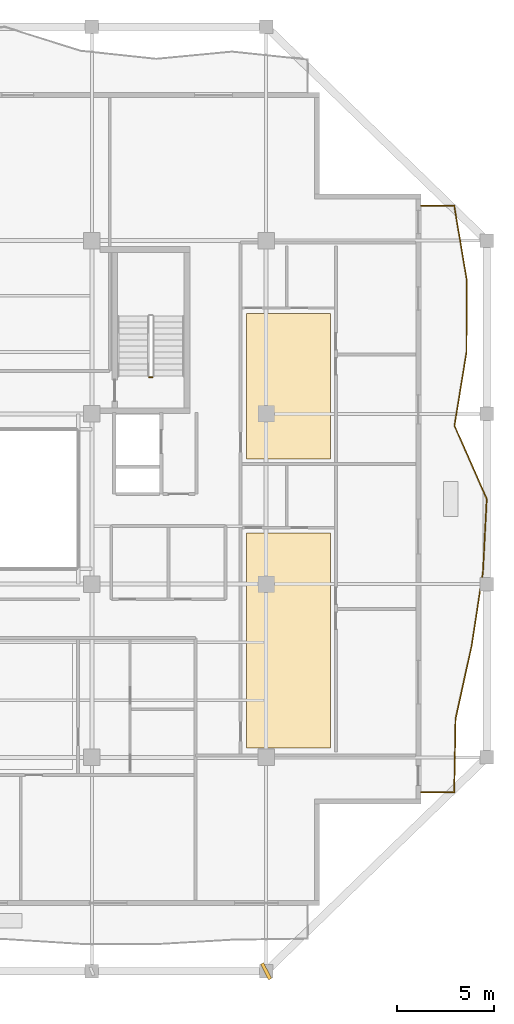
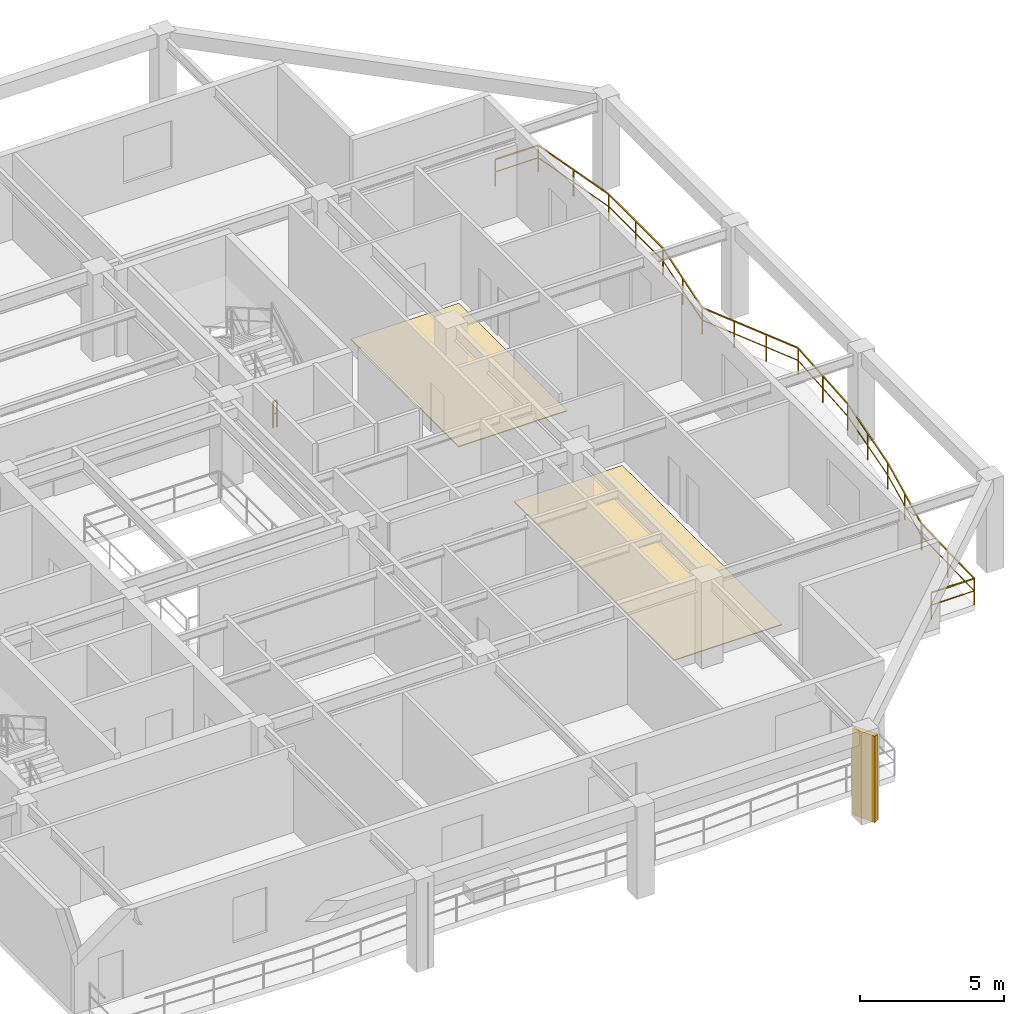
# One storey, part 10 of 12: 2 coverings, 2 railings, 1 shading device.
"""IFC4 building model written with IfcOpenShell, lengths in metres."""

from ifc_helpers import new_model, si_unit, direction, frame, origin, origin_2d, place, context, subcontext, project, spatial, polyline, rectangle, outline, extrude, material, layer, layer_set, type_object, element, save


model = new_model("IFC4")

# Units and contexts
model_context = context("Model", 3, precision=1e-05, world=origin(), true_north=direction((0.0, 1.0)))
body_context = subcontext(model_context, "Body", "Model", "MODEL_VIEW")
ifc_project = project(units=[si_unit("LENGTHUNIT", "METRE"), si_unit("AREAUNIT", "SQUARE_METRE"), si_unit("VOLUMEUNIT", "CUBIC_METRE"), si_unit("PLANEANGLEUNIT", "RADIAN"), si_unit("MASSUNIT", "GRAM", prefix="KILO")], contexts=[model_context])

# Site, building, storey
site_placement = place(None, origin())
site = spatial("IfcSite", under=ifc_project, at=site_placement, CompositionType="ELEMENT")
building_placement = place(site_placement, origin())
building = spatial("IfcBuilding", under=site, at=building_placement, Name="Kundavana Baori Tower", CompositionType="ELEMENT")
storey_placement = place(building_placement, frame((0.0, 0.0, 241.39990234375)))
storey = spatial("IfcBuildingStorey", under=building, at=storey_placement, Name="L59", CompositionType="ELEMENT", Elevation=241.39990234375)

# Coverings
ifc_material_1 = material(Name="Honed Kota Stone and Terrazzo Flooring", Category="masonry")
ifc_layer = layer(ifc_material_1, 0.0400390625, Name="COV-FLR-TERR-40")
ifc_layer_set = layer_set([ifc_layer], Name="Honed Kota Stone and Terrazzo Flooring")
covering_type = type_object("IfcCoveringType", Name="COV-FLR-TERR-40", PredefinedType="FLOORING", material=ifc_layer_set)
covering_1_placement = place(storey_placement, origin())
element("IfcCovering", 1, at=covering_1_placement, inside=storey, type_object=covering_type, Name="L59 Room Finished Stone Flooring 4", PredefinedType="FLOORING", context=body_context, shape_type="SweptSolid", body=[
    extrude(outline(polyline([(41.780029296875, 15.72998046875), (46.1298828125, 15.72998046875), (46.1298828125, 26.840087890625), (41.780029296875, 26.840087890625), (41.780029296875, 15.72998046875)])), origin(), (0.0, 0.0, 1.0), 0.0400390625),
])
covering_2_placement = place(storey_placement, origin())
element("IfcCovering", 2, at=covering_2_placement, inside=storey, type_object=covering_type, Name="L59 Room Finished Stone Flooring 5", PredefinedType="FLOORING", context=body_context, shape_type="SweptSolid", body=[
    extrude(outline(polyline([(41.780029296875, 30.679931640625), (46.1298828125, 30.679931640625), (46.1298828125, 38.18994140625), (41.780029296875, 38.18994140625), (41.780029296875, 30.679931640625)])), origin(), (0.0, 0.0, 1.0), 0.0400390625),
])

# Railings
ifc_material_2 = material(Name="Architectural Patinated Bronze Metalwork")
railing_type_1 = type_object("IfcRailingType", Name="RL-BAL-1150", PredefinedType="BALUSTRADE", material=ifc_material_2)
railing_1_placement = place(storey_placement, frame((50.800048828125, 43.75, 0.0)))
element("IfcRailing", 3, at=railing_1_placement, inside=storey, type_object=railing_type_1, Name="L59 Loggia Balcony Balustrade E", PredefinedType="BALUSTRADE", context=body_context, shape_type="SweptSolid", body=[
    extrude(rectangle(XDim=0.048095703125, YDim=0.048095703125, at=origin_2d()), frame((0.0, 0.0, 1.1259765625), z_axis=(1.0, 0.0, 0.0), x_axis=(0.0, 1.0, 0.0)), (0.0, 0.0, 1.0), 1.719970703125),
    extrude(rectangle(XDim=0.03125, YDim=0.03125, at=origin_2d()), frame((0.0, 0.0, 0.597900390625), z_axis=(1.0, 0.0, 0.0), x_axis=(0.0, 1.0, 0.0)), (0.0, 0.0, 1.0), 1.719970703125),
    extrude(rectangle(XDim=0.048095703125, YDim=0.048095703125, at=origin_2d()), frame((1.719970703125, 0.0, 1.1259765625), z_axis=(0.167118699382, -0.985936783124, 0.0), x_axis=(0.985936783124, 0.167118699382, 0.0)), (0.0, 0.0, 1.0), 3.842041015625),
    extrude(rectangle(XDim=0.03125, YDim=0.03125, at=origin_2d()), frame((1.719970703125, 0.0, 0.597900390625), z_axis=(0.167118699382, -0.985936783124, 0.0), x_axis=(0.985936783124, 0.167118699382, 0.0)), (0.0, 0.0, 1.0), 3.842041015625),
    extrude(rectangle(XDim=0.048095703125, YDim=0.048095703125, at=origin_2d()), frame((2.362060546875, -3.7880859375, 1.1259765625), z_axis=(-0.002127517589, -0.999997736832, 0.0), x_axis=(0.999997736832, -0.002127517589, 0.0)), (0.0, 0.0, 1.0), 3.786865234375),
    extrude(rectangle(XDim=0.03125, YDim=0.03125, at=origin_2d()), frame((2.362060546875, -3.7880859375, 0.597900390625), z_axis=(-0.002127517589, -0.999997736832, 0.0), x_axis=(0.999997736832, -0.002127517589, 0.0)), (0.0, 0.0, 1.0), 3.786865234375),
    extrude(rectangle(XDim=0.048095703125, YDim=0.048095703125, at=origin_2d()), frame((2.35400390625, -7.574951171875, 1.1259765625), z_axis=(-0.161840024956, -0.986817007516, 0.0), x_axis=(0.986817007516, -0.161840024956, 0.0)), (0.0, 0.0, 1.0), 3.837646484375),
    extrude(rectangle(XDim=0.03125, YDim=0.03125, at=origin_2d()), frame((2.35400390625, -7.574951171875, 0.597900390625), z_axis=(-0.161840024956, -0.986817007516, 0.0), x_axis=(0.986817007516, -0.161840024956, 0.0)), (0.0, 0.0, 1.0), 3.837646484375),
    extrude(rectangle(XDim=0.048095703125, YDim=0.048095703125, at=origin_2d()), frame((1.73291015625, -11.362060546875, 1.1259765625), z_axis=(0.402807807937, -0.915284584086, 0.0), x_axis=(0.915284584086, 0.402807807937, 0.0)), (0.0, 0.0, 1.0), 4.138427734375),
    extrude(rectangle(XDim=0.03125, YDim=0.03125, at=origin_2d()), frame((1.73291015625, -11.362060546875, 0.597900390625), z_axis=(0.402807807937, -0.915284584086, 0.0), x_axis=(0.915284584086, 0.402807807937, 0.0)), (0.0, 0.0, 1.0), 4.138427734375),
    extrude(rectangle(XDim=0.048095703125, YDim=0.048095703125, at=origin_2d()), frame((3.39990234375, -15.14990234375, 1.1259765625), z_axis=(-0.051940622011, -0.998650174879, 0.0), x_axis=(0.998650174879, -0.051940622011, 0.0)), (0.0, 0.0, 1.0), 3.793212890625),
    extrude(rectangle(XDim=0.03125, YDim=0.03125, at=origin_2d()), frame((3.39990234375, -15.14990234375, 0.597900390625), z_axis=(-0.051940622011, -0.998650174879, 0.0), x_axis=(0.998650174879, -0.051940622011, 0.0)), (0.0, 0.0, 1.0), 3.793212890625),
    extrude(rectangle(XDim=0.048095703125, YDim=0.048095703125, at=origin_2d()), frame((3.202880859375, -18.93798828125, 1.1259765625), z_axis=(-0.151592702631, -0.988443044646, 0.0), x_axis=(0.988443044646, -0.151592702631, 0.0)), (0.0, 0.0, 1.0), 3.831298828125),
    extrude(rectangle(XDim=0.03125, YDim=0.03125, at=origin_2d()), frame((3.202880859375, -18.93798828125, 0.597900390625), z_axis=(-0.151592702631, -0.988443044646, 0.0), x_axis=(0.988443044646, -0.151592702631, 0.0)), (0.0, 0.0, 1.0), 3.831298828125),
    extrude(rectangle(XDim=0.048095703125, YDim=0.048095703125, at=origin_2d()), frame((2.6220703125, -22.72509765625, 1.1259765625), z_axis=(-0.214836558169, -0.976650015755, 0.0), x_axis=(0.976650015755, -0.214836558169, 0.0)), (0.0, 0.0, 1.0), 3.87744140625),
    extrude(rectangle(XDim=0.03125, YDim=0.03125, at=origin_2d()), frame((2.6220703125, -22.72509765625, 0.597900390625), z_axis=(-0.214836558169, -0.976650015755, 0.0), x_axis=(0.976650015755, -0.214836558169, 0.0)), (0.0, 0.0, 1.0), 3.87744140625),
    extrude(rectangle(XDim=0.048095703125, YDim=0.048095703125, at=origin_2d()), frame((1.7890625, -26.511962890625, 1.1259765625), z_axis=(-0.018236203852, -0.999833706608, 0.0), x_axis=(0.999833706608, -0.018236203852, 0.0)), (0.0, 0.0, 1.0), 3.788818359375),
    extrude(rectangle(XDim=0.03125, YDim=0.03125, at=origin_2d()), frame((1.7890625, -26.511962890625, 0.597900390625), z_axis=(-0.018236203852, -0.999833706608, 0.0), x_axis=(0.999833706608, -0.018236203852, 0.0)), (0.0, 0.0, 1.0), 3.788818359375),
    extrude(rectangle(XDim=0.048095703125, YDim=0.048095703125, at=origin_2d()), frame((1.719970703125, -30.300048828125, 1.1259765625), z_axis=(-1.0, 0.0, 0.0), x_axis=(0.0, -1.0, 0.0)), (0.0, 0.0, 1.0), 1.719970703125),
    extrude(rectangle(XDim=0.03125, YDim=0.03125, at=origin_2d()), frame((1.719970703125, -30.300048828125, 0.597900390625), z_axis=(-1.0, 0.0, 0.0), x_axis=(0.0, -1.0, 0.0)), (0.0, 0.0, 1.0), 1.719970703125),
    extrude(rectangle(XDim=0.0419921875, YDim=0.0419921875, at=origin_2d()), origin(), (0.0, 0.0, 1.0), 1.101806640625),
    extrude(rectangle(XDim=0.0419921875, YDim=0.0419921875, at=origin_2d()), frame((1.719970703125, 0.0, 0.0)), (0.0, 0.0, 1.0), 1.101806640625),
    extrude(rectangle(XDim=0.0419921875, YDim=0.0419921875, at=origin_2d()), frame((2.041015625, -1.89404296875, 0.0)), (0.0, 0.0, 1.0), 1.101806640625),
    extrude(rectangle(XDim=0.0419921875, YDim=0.0419921875, at=origin_2d()), frame((2.362060546875, -3.7880859375, 0.0)), (0.0, 0.0, 1.0), 1.101806640625),
    extrude(rectangle(XDim=0.0419921875, YDim=0.0419921875, at=origin_2d()), frame((2.35791015625, -5.681640625, 0.0)), (0.0, 0.0, 1.0), 1.101806640625),
    extrude(rectangle(XDim=0.0419921875, YDim=0.0419921875, at=origin_2d()), frame((2.35400390625, -7.574951171875, 0.0)), (0.0, 0.0, 1.0), 1.101806640625),
    extrude(rectangle(XDim=0.0419921875, YDim=0.0419921875, at=origin_2d()), frame((2.04345703125, -9.468505859375, 0.0)), (0.0, 0.0, 1.0), 1.101806640625),
    extrude(rectangle(XDim=0.0419921875, YDim=0.0419921875, at=origin_2d()), frame((1.73291015625, -11.362060546875, 0.0)), (0.0, 0.0, 1.0), 1.101806640625),
    extrude(rectangle(XDim=0.0419921875, YDim=0.0419921875, at=origin_2d()), frame((2.28857421875, -12.624755859375, 0.0)), (0.0, 0.0, 1.0), 1.101806640625),
    extrude(rectangle(XDim=0.0419921875, YDim=0.0419921875, at=origin_2d()), frame((2.84423828125, -13.88720703125, 0.0)), (0.0, 0.0, 1.0), 1.101806640625),
    extrude(rectangle(XDim=0.0419921875, YDim=0.0419921875, at=origin_2d()), frame((3.39990234375, -15.14990234375, 0.0)), (0.0, 0.0, 1.0), 1.101806640625),
    extrude(rectangle(XDim=0.0419921875, YDim=0.0419921875, at=origin_2d()), frame((3.30126953125, -17.0439453125, 0.0)), (0.0, 0.0, 1.0), 1.101806640625),
    extrude(rectangle(XDim=0.0419921875, YDim=0.0419921875, at=origin_2d()), frame((3.202880859375, -18.93798828125, 0.0)), (0.0, 0.0, 1.0), 1.101806640625),
    extrude(rectangle(XDim=0.0419921875, YDim=0.0419921875, at=origin_2d()), frame((2.91259765625, -20.83154296875, 0.0)), (0.0, 0.0, 1.0), 1.101806640625),
    extrude(rectangle(XDim=0.0419921875, YDim=0.0419921875, at=origin_2d()), frame((2.6220703125, -22.72509765625, 0.0)), (0.0, 0.0, 1.0), 1.101806640625),
    extrude(rectangle(XDim=0.0419921875, YDim=0.0419921875, at=origin_2d()), frame((2.20556640625, -24.61865234375, 0.0)), (0.0, 0.0, 1.0), 1.101806640625),
    extrude(rectangle(XDim=0.0419921875, YDim=0.0419921875, at=origin_2d()), frame((1.7890625, -26.511962890625, 0.0)), (0.0, 0.0, 1.0), 1.101806640625),
    extrude(rectangle(XDim=0.0419921875, YDim=0.0419921875, at=origin_2d()), frame((1.75439453125, -28.406005859375, 0.0)), (0.0, 0.0, 1.0), 1.101806640625),
    extrude(rectangle(XDim=0.0419921875, YDim=0.0419921875, at=origin_2d()), frame((1.719970703125, -30.300048828125, 0.0)), (0.0, 0.0, 1.0), 1.101806640625),
    extrude(rectangle(XDim=0.0419921875, YDim=0.0419921875, at=origin_2d()), frame((0.0, -30.300048828125, 0.0)), (0.0, 0.0, 1.0), 1.101806640625),
])
ifc_material_3 = material(Name="Architectural Patinated Bronze Metalwork")
railing_type_2 = type_object("IfcRailingType", Name="RL-GRD-1150", PredefinedType="GUARDRAIL", material=ifc_material_3)
railing_2_placement = place(storey_placement, frame((36.929931640625, 34.89990234375, 0.0)))
element("IfcRailing", 4, at=railing_2_placement, inside=storey, type_object=railing_type_2, Name="L59 ST3 stair guard 4", PredefinedType="GUARDRAIL", context=body_context, shape_type="SweptSolid", body=[
    extrude(rectangle(XDim=0.048095703125, YDim=0.048095703125, at=origin_2d()), frame((0.0, 0.0, 1.1259765625), z_axis=(-1.0, 0.0, 0.0), x_axis=(0.0, -1.0, 0.0)), (0.0, 0.0, 1.0), 0.159912109375),
    extrude(rectangle(XDim=0.03125, YDim=0.03125, at=origin_2d()), frame((0.0, 0.0, 0.597900390625), z_axis=(-1.0, 0.0, 0.0), x_axis=(0.0, -1.0, 0.0)), (0.0, 0.0, 1.0), 0.159912109375),
    extrude(rectangle(XDim=0.0419921875, YDim=0.0419921875, at=origin_2d()), origin(), (0.0, 0.0, 1.0), 1.101806640625),
    extrude(rectangle(XDim=0.0419921875, YDim=0.0419921875, at=origin_2d()), frame((-0.159912109375, 0.0, 0.0)), (0.0, 0.0, 1.0), 1.101806640625),
])

# Shading device
ifc_material_4 = material(Name="Red-Buff Dholpur Sandstone Cladding on Concrete C40/50", Category="masonry")
shading_device_type = type_object("IfcShadingDeviceType", Name="SHD-FIN-920", PredefinedType="JALOUSIE", material=ifc_material_4)
shading_device_placement = place(storey_placement, frame((42.800048828125, 4.199951171875, 0.0), z_axis=(0.0, 0.0, 1.0), x_axis=(0.888136448814, 0.459579860621, 0.0)))
element("IfcShadingDevice", 5, at=shading_device_placement, inside=storey, type_object=shading_device_type, Name="L59 Sweeping Dholpur Sandstone Facade Fin 4", PredefinedType="JALOUSIE", context=body_context, shape_type="SweptSolid", body=[
    extrude(rectangle(XDim=0.179931640625, YDim=0.919921875, at=origin_2d()), origin(), (0.0, 0.0, 1.0), 3.659912109375),
])

save(model, "model.ifc")
